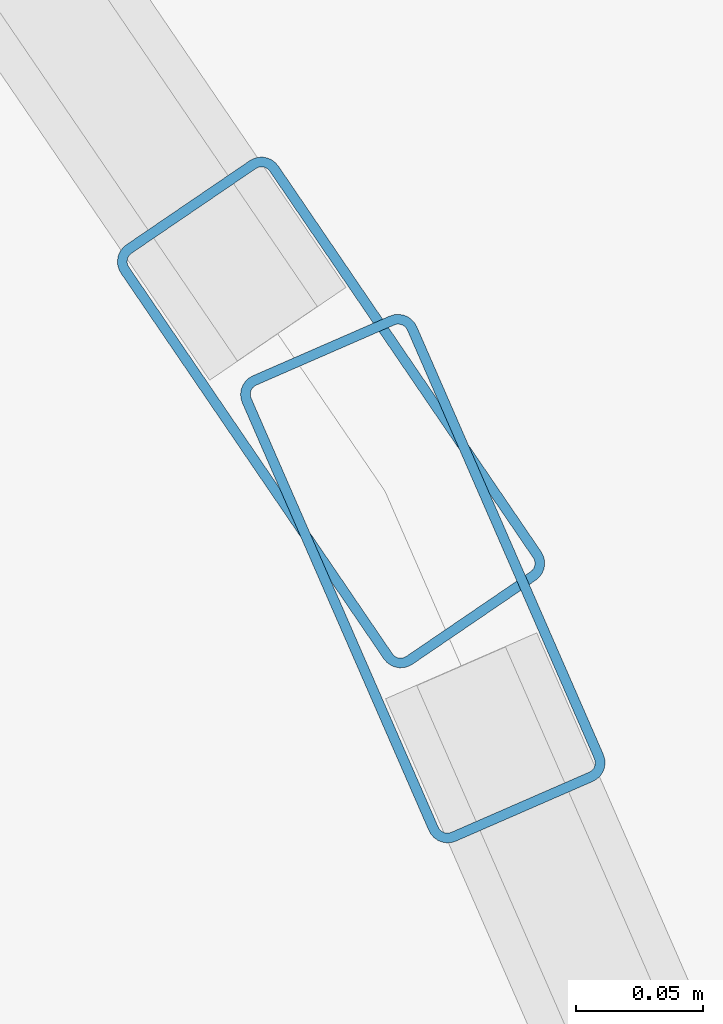
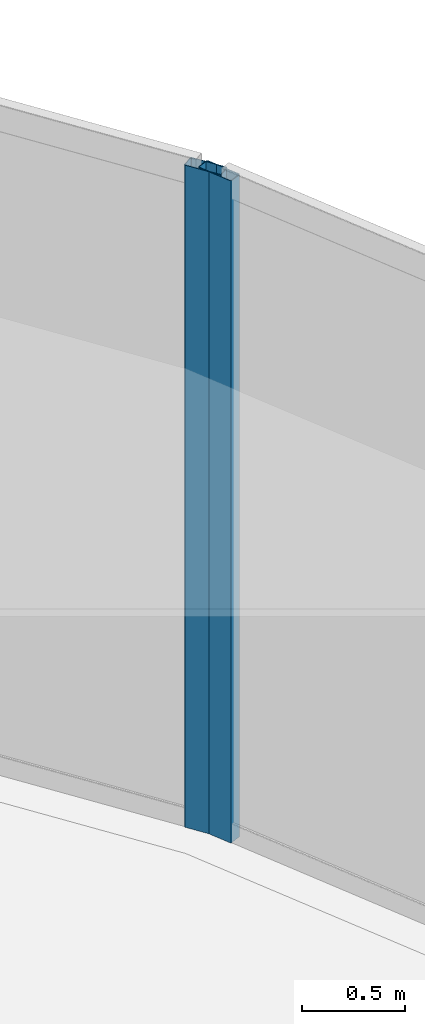
# One storey, part 16 of 31: 2 members, 2 elements without a shape of their own.
"""IFC4 building model written with IfcOpenShell, lengths in metres."""

from ifc_helpers import new_model, si_unit, direction, frame, origin, origin_2d, place, context, subcontext, project, spatial, hollow_rectangle, extrude, material, layer, layer_set, material_profile, profile_set, type_object, element, aggregate, save


model = new_model("IFC4")

# Units and contexts
model_context = context("Model", 3, precision=1e-05, world=origin(), true_north=direction((0.0, 1.0)))
body_context = subcontext(model_context, "Body", "Model", "MODEL_VIEW")
ifc_project = project(units=[si_unit("LENGTHUNIT", "METRE"), si_unit("AREAUNIT", "SQUARE_METRE"), si_unit("VOLUMEUNIT", "CUBIC_METRE"), si_unit("PLANEANGLEUNIT", "RADIAN"), si_unit("MASSUNIT", "GRAM", prefix="KILO")], contexts=[model_context])

# Site, building, storey
site_placement = place(None, origin())
site = spatial("IfcSite", under=ifc_project, at=site_placement, CompositionType="ELEMENT")
building_placement = place(site_placement, origin())
building = spatial("IfcBuilding", under=site, at=building_placement, Name="Qorvath Tower", CompositionType="ELEMENT")
storey_placement = place(building_placement, frame((0.0, 0.0, 259.800048828125)))
storey = spatial("IfcBuildingStorey", under=building, at=storey_placement, Name="L60", CompositionType="ELEMENT", Elevation=259.800048828125)

# Curtain wall, member
ifc_material_1 = material(Name="Anodised aluminium and triple low-E glass", Category="aluminium")
ifc_layer = layer(ifc_material_1, 0.179931640625)
ifc_layer_set = layer_set([ifc_layer], Name="CW-SYS-4")
curtain_wall_type = type_object("IfcCurtainWallType", Name="CW-SYS-4", PredefinedType="NOTDEFINED", material=ifc_layer_set)
curtain_wall_1_placement = place(storey_placement, origin())
curtain_wall_1 = element("IfcCurtainWall", 1, at=curtain_wall_1_placement, inside=storey, type_object=curtain_wall_type, Name="Curtain Wall CW-4 CW-T-L60-12.1", PredefinedType="NOTDEFINED")
ifc_material_2 = material(Name="Anodised aluminium 6063-T6", Category="aluminium")
ifc_material_profile = material_profile(ifc_material_2, hollow_rectangle(XDim=0.074951171875, YDim=0.199951171875, WallThickness=0.00390625, InnerFilletRadius=0.00390625, OuterFilletRadius=0.008056640625, at=origin_2d()), Name="CWM 200x75")
ifc_profile_set = profile_set([ifc_material_profile], Name="Anodised aluminium 6063-T6")
member_type = type_object("IfcMemberType", Name="CWM-200", PredefinedType="MULLION", material=ifc_profile_set)
member_1_placement = place(storey_placement, frame((-4.89697265625, 14.310302734375, 0.0), z_axis=(0.0, 0.0, 1.0), x_axis=(-0.916612312055, -0.399777274729, 0.0)))
member_1 = element("IfcMember", 2, at=member_1_placement, type_object=member_type, Name="CW-4 mullion 2", PredefinedType="MULLION", context=body_context, shape_type="SweptSolid", body=[
    extrude(hollow_rectangle(XDim=0.074951171875, YDim=0.199951171875, WallThickness=0.00390625, InnerFilletRadius=0.00390625, OuterFilletRadius=0.008056640625, at=origin_2d()), origin(), (0.0, 0.0, 1.0), 3.909912109375),
])
aggregate(curtain_wall_1, [member_1])

curtain_wall_2_placement = place(storey_placement, origin())
curtain_wall_2 = element("IfcCurtainWall", 3, at=curtain_wall_2_placement, inside=storey, type_object=curtain_wall_type, Name="Curtain Wall CW-4 CW-T-L60-13.1", PredefinedType="NOTDEFINED")
member_2_placement = place(storey_placement, frame((-4.93310546875, 14.375732421875, 0.0), z_axis=(0.0, 0.0, 1.0), x_axis=(-0.826358006639, -0.563145136589, 0.0)))
member_2 = element("IfcMember", 4, at=member_2_placement, type_object=member_type, Name="CW-4 mullion 1", PredefinedType="MULLION", context=body_context, shape_type="SweptSolid", body=[
    extrude(hollow_rectangle(XDim=0.074951171875, YDim=0.199951171875, WallThickness=0.00390625, InnerFilletRadius=0.00390625, OuterFilletRadius=0.008056640625, at=origin_2d()), origin(), (0.0, 0.0, 1.0), 3.909912109375),
])
aggregate(curtain_wall_2, [member_2])

save(model, "model.ifc")
